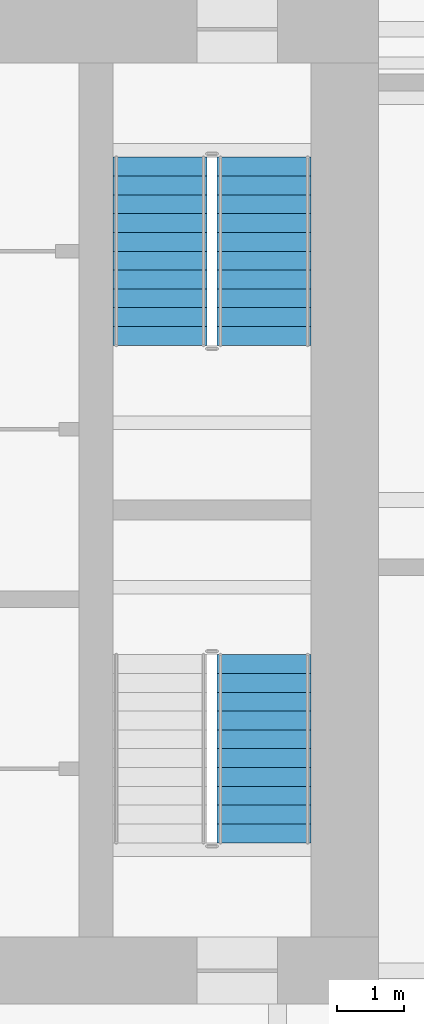
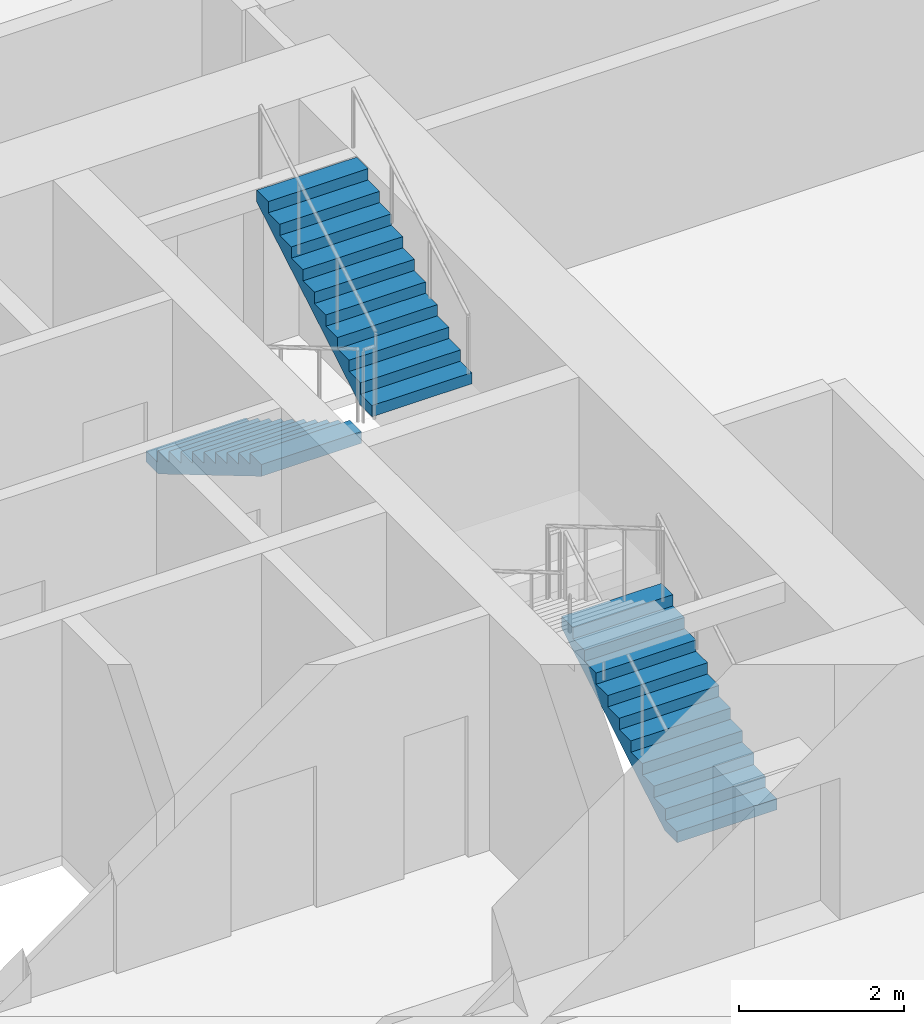
# One storey, part 17 of 20: 3 stair flights, 2 elements without a shape of their own.
"""IFC4 building model written with IfcOpenShell, lengths in metres."""

from ifc_helpers import new_model, si_unit, direction, frame, origin, place, context, subcontext, project, spatial, polyline, outline, extrude, material, type_object, element, aggregate, save


model = new_model("IFC4")

# Units and contexts
model_context = context("Model", 3, precision=1e-05, world=origin(), true_north=direction((0.0, 1.0)))
body_context = subcontext(model_context, "Body", "Model", "MODEL_VIEW")
ifc_project = project(units=[si_unit("LENGTHUNIT", "METRE"), si_unit("AREAUNIT", "SQUARE_METRE"), si_unit("VOLUMEUNIT", "CUBIC_METRE"), si_unit("PLANEANGLEUNIT", "RADIAN"), si_unit("MASSUNIT", "GRAM", prefix="KILO")], contexts=[model_context])

# Site, building, storey
site_placement = place(None, origin())
site = spatial("IfcSite", under=ifc_project, at=site_placement, CompositionType="ELEMENT")
building_placement = place(site_placement, origin())
building = spatial("IfcBuilding", under=site, at=building_placement, Name="Isthmus Gate Tower", CompositionType="ELEMENT")
storey_placement = place(building_placement, frame((0.0, 0.0, 61.550048828125)))
storey = spatial("IfcBuildingStorey", under=building, at=storey_placement, Name="L13", CompositionType="ELEMENT", Elevation=61.550048828125)

# Stair, stair flights
ifc_material_1 = material(Name="Concrete f'c 40 MPa", Category="concrete")
stair_type = type_object("IfcStairType", Name="CORE STAIR 22 RISERS", PredefinedType="HALF_TURN_STAIR", material=ifc_material_1)
stair_1_placement = place(storey_placement, origin())
stair_1 = element("IfcStair", 1, at=stair_1_placement, inside=storey, type_object=stair_type, Name="L13 Exit Stair 2", PredefinedType="HALF_TURN_STAIR")
ifc_material_2 = material(Name="Concrete f'c 40 MPa", Category="concrete")
stair_flight_type = type_object("IfcStairFlightType", Name="STAIR FLIGHT RC 1400", PredefinedType="STRAIGHT", material=ifc_material_2)
stair_flight_1_placement = place(storey_placement, frame((11.75, 12.60009765625, 0.0), z_axis=(0.0, 0.0, 1.0), x_axis=(0.0, -1.0, 0.0)))
stair_flight_1 = element("IfcStairFlight", 2, at=stair_flight_1_placement, type_object=stair_flight_type, Name="ST2 flight 1", NumberOfRisers=11, NumberOfTreads=10, PredefinedType="STRAIGHT", RiserHeight=0.165909091, TreadLength=0.28, context=body_context, shape_type="SweptSolid", body=[
    extrude(outline(polyline([(0.0, 0.0), (0.0, 0.166015625), (0.280029296875, 0.166015625), (0.280029296875, 0.331787109375), (0.56005859375, 0.331787109375), (0.56005859375, 0.497802734375), (0.840087890625, 0.497802734375), (0.840087890625, 0.66357421875), (1.1201171875, 0.66357421875), (1.1201171875, 0.82958984375), (1.39990234375, 0.82958984375), (1.39990234375, 0.995361328125), (1.679931640625, 0.995361328125), (1.679931640625, 1.161376953125), (1.9599609375, 1.161376953125), (1.9599609375, 1.327392578125), (2.239990234375, 1.327392578125), (2.239990234375, 1.4931640625), (2.52001953125, 1.4931640625), (2.52001953125, 1.6591796875), (2.800048828125, 1.6591796875), (2.800048828125, 1.824951171875), (2.800048828125, 1.48486328125), (0.2939453125, 0.0), (0.0, 0.0)])), frame((0.0, 0.699951171875, 0.0), z_axis=(0.0, -1.0, 0.0), x_axis=(1.0, 0.0, 0.0)), (0.0, 0.0, 1.0), 1.39990234375),
])
stair_flight_2_placement = place(storey_placement, frame((13.300048828125, 9.800048828125, 1.824951171875), z_axis=(0.0, 0.0, 1.0), x_axis=(0.0, 1.0, 0.0)))
stair_flight_2 = element("IfcStairFlight", 3, at=stair_flight_2_placement, type_object=stair_flight_type, Name="ST2 flight 2", NumberOfRisers=11, NumberOfTreads=10, PredefinedType="STRAIGHT", RiserHeight=0.165909091, TreadLength=0.28, context=body_context, shape_type="SweptSolid", body=[
    extrude(outline(polyline([(0.0, 0.0), (0.0, 0.166015625), (0.280029296875, 0.166015625), (0.280029296875, 0.331787109375), (0.56005859375, 0.331787109375), (0.56005859375, 0.497802734375), (0.840087890625, 0.497802734375), (0.840087890625, 0.66357421875), (1.1201171875, 0.66357421875), (1.1201171875, 0.82958984375), (1.39990234375, 0.82958984375), (1.39990234375, 0.995361328125), (1.679931640625, 0.995361328125), (1.679931640625, 1.161376953125), (1.9599609375, 1.161376953125), (1.9599609375, 1.327392578125), (2.239990234375, 1.327392578125), (2.239990234375, 1.4931640625), (2.52001953125, 1.4931640625), (2.52001953125, 1.6591796875), (2.800048828125, 1.6591796875), (2.800048828125, 1.824951171875), (2.800048828125, 1.48486328125), (0.2939453125, 0.0), (0.0, 0.0)])), frame((0.0, 0.699951171875, 0.0), z_axis=(0.0, -1.0, 0.0), x_axis=(1.0, 0.0, 0.0)), (0.0, 0.0, 1.0), 1.39990234375),
])
aggregate(stair_1, [stair_flight_1, stair_flight_2])

# Stair, stair flight
stair_2_placement = place(storey_placement, origin())
stair_2 = element("IfcStair", 4, at=stair_2_placement, inside=storey, type_object=stair_type, Name="L13 Exit Stair 8", PredefinedType="HALF_TURN_STAIR")
stair_flight_3_placement = place(storey_placement, frame((13.300048828125, 2.39990234375, 0.0), z_axis=(0.0, 0.0, 1.0), x_axis=(0.0, 1.0, 0.0)))
stair_flight_3 = element("IfcStairFlight", 5, at=stair_flight_3_placement, type_object=stair_flight_type, Name="ST8 flight 1", NumberOfRisers=11, NumberOfTreads=10, PredefinedType="STRAIGHT", RiserHeight=0.165909091, TreadLength=0.28, context=body_context, shape_type="SweptSolid", body=[
    extrude(outline(polyline([(0.0, 0.0), (0.0, 0.166015625), (0.280029296875, 0.166015625), (0.280029296875, 0.331787109375), (0.56005859375, 0.331787109375), (0.56005859375, 0.497802734375), (0.840087890625, 0.497802734375), (0.840087890625, 0.66357421875), (1.1201171875, 0.66357421875), (1.1201171875, 0.82958984375), (1.39990234375, 0.82958984375), (1.39990234375, 0.995361328125), (1.679931640625, 0.995361328125), (1.679931640625, 1.161376953125), (1.9599609375, 1.161376953125), (1.9599609375, 1.327392578125), (2.239990234375, 1.327392578125), (2.239990234375, 1.4931640625), (2.52001953125, 1.4931640625), (2.52001953125, 1.6591796875), (2.800048828125, 1.6591796875), (2.800048828125, 1.824951171875), (2.800048828125, 1.48486328125), (0.2939453125, 0.0), (0.0, 0.0)])), frame((0.0, 0.699951171875, 0.0), z_axis=(0.0, -1.0, 0.0), x_axis=(1.0, 0.0, 0.0)), (0.0, 0.0, 1.0), 1.39990234375),
])
aggregate(stair_2, [stair_flight_3])

save(model, "model.ifc")
